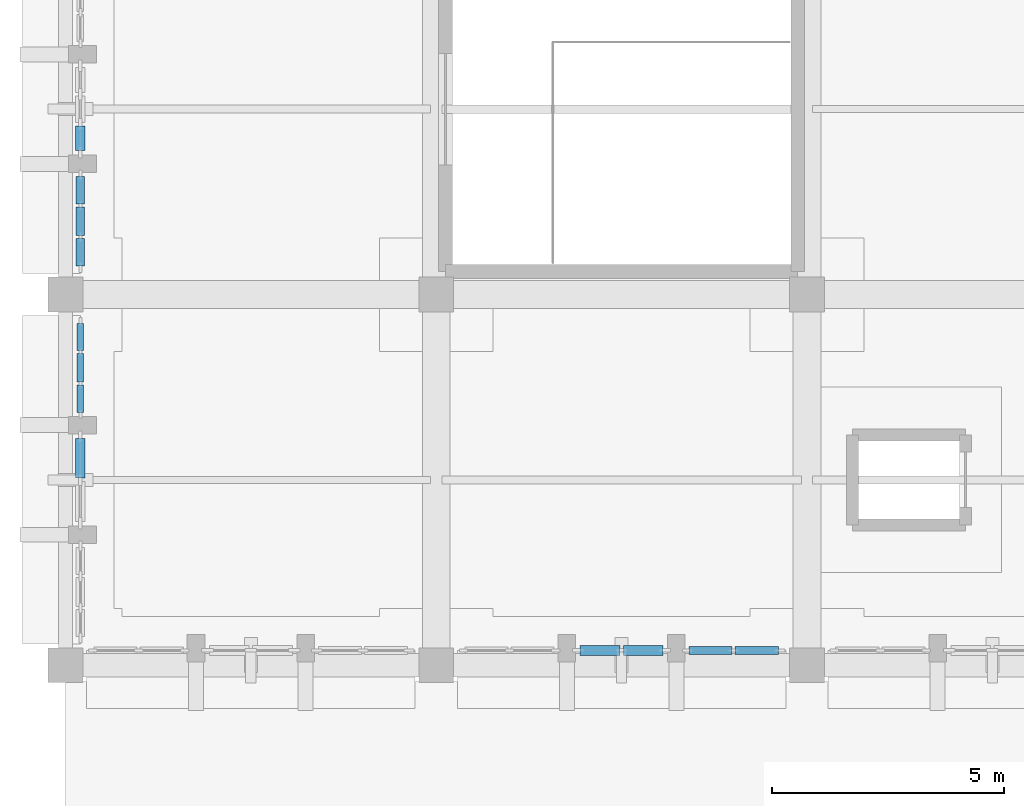
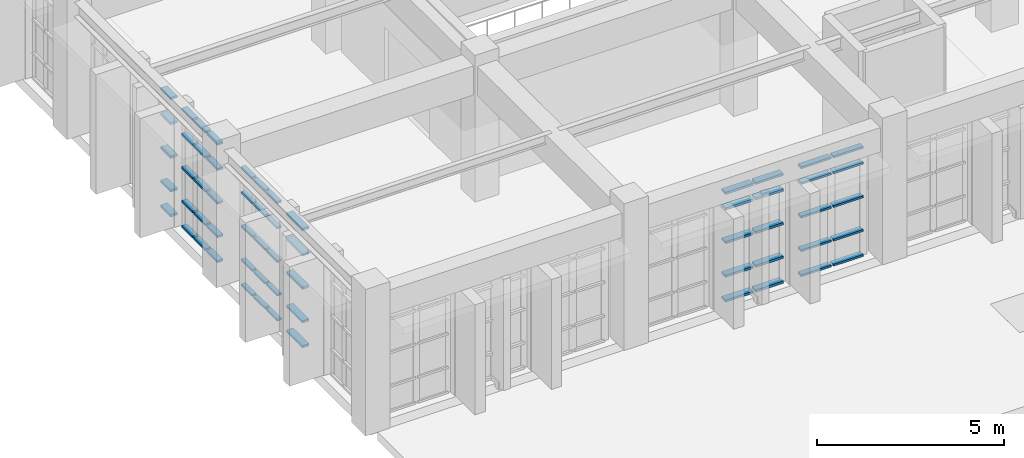
# One storey, part 47 of 155: 60 members, 6 elements without a shape of their own.
"""IFC4 building model written with IfcOpenShell, lengths in metres."""

from ifc_helpers import new_model, si_unit, direction, frame, origin, origin_2d, place, context, subcontext, project, spatial, rectangle, extrude, material, layer, layer_set, material_profile, profile_set, type_object, element, aggregate, save


model = new_model("IFC4")

# Units and contexts
model_context = context("Model", 3, precision=1e-05, world=origin(), true_north=direction((0.0, 1.0)))
body_context = subcontext(model_context, "Body", "Model", "MODEL_VIEW")
ifc_project = project(units=[si_unit("LENGTHUNIT", "METRE"), si_unit("AREAUNIT", "SQUARE_METRE"), si_unit("VOLUMEUNIT", "CUBIC_METRE"), si_unit("PLANEANGLEUNIT", "RADIAN"), si_unit("MASSUNIT", "GRAM", prefix="KILO")], contexts=[model_context])

# Site, building, storey
site_placement = place(None, origin())
site = spatial("IfcSite", under=ifc_project, at=site_placement, CompositionType="ELEMENT")
building_placement = place(site_placement, origin())
building = spatial("IfcBuilding", under=site, at=building_placement, Name="Tazarka Park Arena", CompositionType="ELEMENT")
storey_placement = place(building_placement, frame((0.0, 0.0, 5.39990234375)))
storey = spatial("IfcBuildingStorey", under=building, at=storey_placement, Name="L01", CompositionType="ELEMENT", Elevation=5.39990234375)

# Curtain wall, members
ifc_material_1 = material(Name="Aluminium and low-e glass", Category="aluminium")
ifc_layer_1 = layer(ifc_material_1, 0.179931640625, Name="Aluminium and low-e glass")
ifc_layer_set_1 = layer_set([ifc_layer_1], Name="Aluminium and low-e glass")
curtain_wall_type_1 = type_object("IfcCurtainWallType", Name="CW-09", PredefinedType="NOTDEFINED", material=ifc_layer_set_1)
curtain_wall_1_placement = place(storey_placement, origin())
curtain_wall_1 = element("IfcCurtainWall", 1, at=curtain_wall_1_placement, inside=storey, type_object=curtain_wall_type_1, Name="Curtain Wall CWA-L01-069", PredefinedType="NOTDEFINED")
ifc_material_2 = material(Name="Aluminium 6060-T66", Category="aluminium")
ifc_material_profile_1 = material_profile(ifc_material_2, rectangle(XDim=0.139892578125, YDim=0.06494140625, at=origin_2d()), Name="Aluminium 6060-T66")
ifc_profile_set_1 = profile_set([ifc_material_profile_1], Name="Aluminium 6060-T66")
member_type_1 = type_object("IfcMemberType", Name="CWT-01", PredefinedType="USERDEFINED", material=ifc_profile_set_1)
member_1_placement = place(storey_placement, frame((0.320068359375, 13.456787109375, 0.03271484375), z_axis=(0.0, 1.0, 0.0), x_axis=(-1.0, 0.0, 0.0)))
member_1 = element("IfcMember", 2, at=member_1_placement, type_object=member_type_1, Name="CW-09 transom 1.1", ObjectType="TRANSOM", PredefinedType="USERDEFINED", context=body_context, shape_type="SweptSolid", body=[
    extrude(rectangle(XDim=0.139892578125, YDim=0.06494140625, at=origin_2d()), origin(), (0.0, 0.0, 1.0), 0.5869140625),
])
member_2_placement = place(storey_placement, frame((0.320068359375, 13.456787109375, 0.85009765625), z_axis=(0.0, 1.0, 0.0), x_axis=(-1.0, 0.0, 0.0)))
member_2 = element("IfcMember", 3, at=member_2_placement, type_object=member_type_1, Name="CW-09 transom 1.2", ObjectType="TRANSOM", PredefinedType="USERDEFINED", context=body_context, shape_type="SweptSolid", body=[
    extrude(rectangle(XDim=0.139892578125, YDim=0.06494140625, at=origin_2d()), origin(), (0.0, 0.0, 1.0), 0.5869140625),
])
member_3_placement = place(storey_placement, frame((0.320068359375, 13.456787109375, 1.9501953125), z_axis=(0.0, 1.0, 0.0), x_axis=(-1.0, 0.0, 0.0)))
member_3 = element("IfcMember", 4, at=member_3_placement, type_object=member_type_1, Name="CW-09 transom 1.3", ObjectType="TRANSOM", PredefinedType="USERDEFINED", context=body_context, shape_type="SweptSolid", body=[
    extrude(rectangle(XDim=0.139892578125, YDim=0.06494140625, at=origin_2d()), origin(), (0.0, 0.0, 1.0), 0.5869140625),
])
member_4_placement = place(storey_placement, frame((0.320068359375, 13.456787109375, 3.050048828125), z_axis=(0.0, 1.0, 0.0), x_axis=(-1.0, 0.0, 0.0)))
member_4 = element("IfcMember", 5, at=member_4_placement, type_object=member_type_1, Name="CW-09 transom 1.4", ObjectType="TRANSOM", PredefinedType="USERDEFINED", context=body_context, shape_type="SweptSolid", body=[
    extrude(rectangle(XDim=0.139892578125, YDim=0.06494140625, at=origin_2d()), origin(), (0.0, 0.0, 1.0), 0.5869140625),
])
member_5_placement = place(storey_placement, frame((0.320068359375, 13.456787109375, 3.877685546875), z_axis=(0.0, 1.0, 0.0), x_axis=(-1.0, 0.0, 0.0)))
member_5 = element("IfcMember", 6, at=member_5_placement, type_object=member_type_1, Name="CW-09 transom 1.5", ObjectType="TRANSOM", PredefinedType="USERDEFINED", context=body_context, shape_type="SweptSolid", body=[
    extrude(rectangle(XDim=0.139892578125, YDim=0.06494140625, at=origin_2d()), origin(), (0.0, 0.0, 1.0), 0.5869140625),
])
member_6_placement = place(storey_placement, frame((0.320068359375, 14.108642578125, 0.03271484375), z_axis=(0.0, 1.0, 0.0), x_axis=(-1.0, 0.0, 0.0)))
member_6 = element("IfcMember", 7, at=member_6_placement, type_object=member_type_1, Name="CW-09 transom 2.1", ObjectType="TRANSOM", PredefinedType="USERDEFINED", context=body_context, shape_type="SweptSolid", body=[
    extrude(rectangle(XDim=0.139892578125, YDim=0.06494140625, at=origin_2d()), origin(), (0.0, 0.0, 1.0), 0.619384765625),
])
member_7_placement = place(storey_placement, frame((0.320068359375, 14.108642578125, 0.85009765625), z_axis=(0.0, 1.0, 0.0), x_axis=(-1.0, 0.0, 0.0)))
member_7 = element("IfcMember", 8, at=member_7_placement, type_object=member_type_1, Name="CW-09 transom 2.2", ObjectType="TRANSOM", PredefinedType="USERDEFINED", context=body_context, shape_type="SweptSolid", body=[
    extrude(rectangle(XDim=0.139892578125, YDim=0.06494140625, at=origin_2d()), origin(), (0.0, 0.0, 1.0), 0.619384765625),
])
member_8_placement = place(storey_placement, frame((0.320068359375, 14.108642578125, 1.9501953125), z_axis=(0.0, 1.0, 0.0), x_axis=(-1.0, 0.0, 0.0)))
member_8 = element("IfcMember", 9, at=member_8_placement, type_object=member_type_1, Name="CW-09 transom 2.3", ObjectType="TRANSOM", PredefinedType="USERDEFINED", context=body_context, shape_type="SweptSolid", body=[
    extrude(rectangle(XDim=0.139892578125, YDim=0.06494140625, at=origin_2d()), origin(), (0.0, 0.0, 1.0), 0.619384765625),
])
member_9_placement = place(storey_placement, frame((0.320068359375, 14.108642578125, 3.050048828125), z_axis=(0.0, 1.0, 0.0), x_axis=(-1.0, 0.0, 0.0)))
member_9 = element("IfcMember", 10, at=member_9_placement, type_object=member_type_1, Name="CW-09 transom 2.4", ObjectType="TRANSOM", PredefinedType="USERDEFINED", context=body_context, shape_type="SweptSolid", body=[
    extrude(rectangle(XDim=0.139892578125, YDim=0.06494140625, at=origin_2d()), origin(), (0.0, 0.0, 1.0), 0.619384765625),
])
member_10_placement = place(storey_placement, frame((0.320068359375, 14.108642578125, 3.877685546875), z_axis=(0.0, 1.0, 0.0), x_axis=(-1.0, 0.0, 0.0)))
member_10 = element("IfcMember", 11, at=member_10_placement, type_object=member_type_1, Name="CW-09 transom 2.5", ObjectType="TRANSOM", PredefinedType="USERDEFINED", context=body_context, shape_type="SweptSolid", body=[
    extrude(rectangle(XDim=0.139892578125, YDim=0.06494140625, at=origin_2d()), origin(), (0.0, 0.0, 1.0), 0.619384765625),
])
member_11_placement = place(storey_placement, frame((0.320068359375, 14.79296875, 0.03271484375), z_axis=(0.0, 1.0, 0.0), x_axis=(-1.0, 0.0, 0.0)))
member_11 = element("IfcMember", 12, at=member_11_placement, type_object=member_type_1, Name="CW-09 transom 3.1", ObjectType="TRANSOM", PredefinedType="USERDEFINED", context=body_context, shape_type="SweptSolid", body=[
    extrude(rectangle(XDim=0.139892578125, YDim=0.06494140625, at=origin_2d()), origin(), (0.0, 0.0, 1.0), 0.5869140625),
])
member_12_placement = place(storey_placement, frame((0.320068359375, 14.79296875, 0.85009765625), z_axis=(0.0, 1.0, 0.0), x_axis=(-1.0, 0.0, 0.0)))
member_12 = element("IfcMember", 13, at=member_12_placement, type_object=member_type_1, Name="CW-09 transom 3.2", ObjectType="TRANSOM", PredefinedType="USERDEFINED", context=body_context, shape_type="SweptSolid", body=[
    extrude(rectangle(XDim=0.139892578125, YDim=0.06494140625, at=origin_2d()), origin(), (0.0, 0.0, 1.0), 0.5869140625),
])
member_13_placement = place(storey_placement, frame((0.320068359375, 14.79296875, 1.9501953125), z_axis=(0.0, 1.0, 0.0), x_axis=(-1.0, 0.0, 0.0)))
member_13 = element("IfcMember", 14, at=member_13_placement, type_object=member_type_1, Name="CW-09 transom 3.3", ObjectType="TRANSOM", PredefinedType="USERDEFINED", context=body_context, shape_type="SweptSolid", body=[
    extrude(rectangle(XDim=0.139892578125, YDim=0.06494140625, at=origin_2d()), origin(), (0.0, 0.0, 1.0), 0.5869140625),
])
member_14_placement = place(storey_placement, frame((0.320068359375, 14.79296875, 3.050048828125), z_axis=(0.0, 1.0, 0.0), x_axis=(-1.0, 0.0, 0.0)))
member_14 = element("IfcMember", 15, at=member_14_placement, type_object=member_type_1, Name="CW-09 transom 3.4", ObjectType="TRANSOM", PredefinedType="USERDEFINED", context=body_context, shape_type="SweptSolid", body=[
    extrude(rectangle(XDim=0.139892578125, YDim=0.06494140625, at=origin_2d()), origin(), (0.0, 0.0, 1.0), 0.5869140625),
])
member_15_placement = place(storey_placement, frame((0.320068359375, 14.79296875, 3.877685546875), z_axis=(0.0, 1.0, 0.0), x_axis=(-1.0, 0.0, 0.0)))
member_15 = element("IfcMember", 16, at=member_15_placement, type_object=member_type_1, Name="CW-09 transom 3.5", ObjectType="TRANSOM", PredefinedType="USERDEFINED", context=body_context, shape_type="SweptSolid", body=[
    extrude(rectangle(XDim=0.139892578125, YDim=0.06494140625, at=origin_2d()), origin(), (0.0, 0.0, 1.0), 0.5869140625),
])
aggregate(curtain_wall_1, [member_1, member_2, member_3, member_4, member_5, member_6, member_7, member_8, member_9, member_10, member_11, member_12, member_13, member_14, member_15])

ifc_material_3 = material(Name="Aluminium and low-e glass", Category="aluminium")
ifc_layer_2 = layer(ifc_material_3, 0.179931640625, Name="Aluminium and low-e glass")
ifc_layer_set_2 = layer_set([ifc_layer_2], Name="Aluminium and low-e glass")
curtain_wall_type_2 = type_object("IfcCurtainWallType", Name="CW-04", PredefinedType="NOTDEFINED", material=ifc_layer_set_2)
curtain_wall_2_placement = place(storey_placement, origin())
curtain_wall_2 = element("IfcCurtainWall", 17, at=curtain_wall_2_placement, inside=storey, type_object=curtain_wall_type_2, Name="Curtain Wall CWA-L01-064", PredefinedType="NOTDEFINED")
ifc_material_4 = material(Name="Aluminium 6060-T66", Category="aluminium")
ifc_material_profile_2 = material_profile(ifc_material_4, rectangle(XDim=0.179931640625, YDim=0.06494140625, at=origin_2d()), Name="Aluminium 6060-T66")
ifc_profile_set_2 = profile_set([ifc_material_profile_2], Name="Aluminium 6060-T66")
member_type_2 = type_object("IfcMemberType", Name="CWT-02", PredefinedType="USERDEFINED", material=ifc_profile_set_2)
member_16_placement = place(storey_placement, frame((0.320068359375, 16.6201171875, 0.03271484375), z_axis=(0.0, 1.0, 0.0), x_axis=(-1.0, 0.0, 0.0)))
member_16 = element("IfcMember", 18, at=member_16_placement, type_object=member_type_2, Name="CW-04 transom 1.1", ObjectType="TRANSOM", PredefinedType="USERDEFINED", context=body_context, shape_type="SweptSolid", body=[
    extrude(rectangle(XDim=0.179931640625, YDim=0.06494140625, at=origin_2d()), origin(), (0.0, 0.0, 1.0), 0.5869140625),
])
member_17_placement = place(storey_placement, frame((0.320068359375, 16.6201171875, 0.85009765625), z_axis=(0.0, 1.0, 0.0), x_axis=(-1.0, 0.0, 0.0)))
member_17 = element("IfcMember", 19, at=member_17_placement, type_object=member_type_2, Name="CW-04 transom 1.2", ObjectType="TRANSOM", PredefinedType="USERDEFINED", context=body_context, shape_type="SweptSolid", body=[
    extrude(rectangle(XDim=0.179931640625, YDim=0.06494140625, at=origin_2d()), origin(), (0.0, 0.0, 1.0), 0.5869140625),
])
member_18_placement = place(storey_placement, frame((0.320068359375, 16.6201171875, 1.9501953125), z_axis=(0.0, 1.0, 0.0), x_axis=(-1.0, 0.0, 0.0)))
member_18 = element("IfcMember", 20, at=member_18_placement, type_object=member_type_2, Name="CW-04 transom 1.3", ObjectType="TRANSOM", PredefinedType="USERDEFINED", context=body_context, shape_type="SweptSolid", body=[
    extrude(rectangle(XDim=0.179931640625, YDim=0.06494140625, at=origin_2d()), origin(), (0.0, 0.0, 1.0), 0.5869140625),
])
member_19_placement = place(storey_placement, frame((0.320068359375, 16.6201171875, 3.050048828125), z_axis=(0.0, 1.0, 0.0), x_axis=(-1.0, 0.0, 0.0)))
member_19 = element("IfcMember", 21, at=member_19_placement, type_object=member_type_2, Name="CW-04 transom 1.4", ObjectType="TRANSOM", PredefinedType="USERDEFINED", context=body_context, shape_type="SweptSolid", body=[
    extrude(rectangle(XDim=0.179931640625, YDim=0.06494140625, at=origin_2d()), origin(), (0.0, 0.0, 1.0), 0.5869140625),
])
member_20_placement = place(storey_placement, frame((0.320068359375, 16.6201171875, 3.877685546875), z_axis=(0.0, 1.0, 0.0), x_axis=(-1.0, 0.0, 0.0)))
member_20 = element("IfcMember", 22, at=member_20_placement, type_object=member_type_2, Name="CW-04 transom 1.5", ObjectType="TRANSOM", PredefinedType="USERDEFINED", context=body_context, shape_type="SweptSolid", body=[
    extrude(rectangle(XDim=0.179931640625, YDim=0.06494140625, at=origin_2d()), origin(), (0.0, 0.0, 1.0), 0.5869140625),
])
member_21_placement = place(storey_placement, frame((0.320068359375, 17.27197265625, 0.03271484375), z_axis=(0.0, 1.0, 0.0), x_axis=(-1.0, 0.0, 0.0)))
member_21 = element("IfcMember", 23, at=member_21_placement, type_object=member_type_2, Name="CW-04 transom 2.1", ObjectType="TRANSOM", PredefinedType="USERDEFINED", context=body_context, shape_type="SweptSolid", body=[
    extrude(rectangle(XDim=0.179931640625, YDim=0.06494140625, at=origin_2d()), origin(), (0.0, 0.0, 1.0), 0.619384765625),
])
member_22_placement = place(storey_placement, frame((0.320068359375, 17.27197265625, 0.85009765625), z_axis=(0.0, 1.0, 0.0), x_axis=(-1.0, 0.0, 0.0)))
member_22 = element("IfcMember", 24, at=member_22_placement, type_object=member_type_2, Name="CW-04 transom 2.2", ObjectType="TRANSOM", PredefinedType="USERDEFINED", context=body_context, shape_type="SweptSolid", body=[
    extrude(rectangle(XDim=0.179931640625, YDim=0.06494140625, at=origin_2d()), origin(), (0.0, 0.0, 1.0), 0.619384765625),
])
member_23_placement = place(storey_placement, frame((0.320068359375, 17.27197265625, 1.9501953125), z_axis=(0.0, 1.0, 0.0), x_axis=(-1.0, 0.0, 0.0)))
member_23 = element("IfcMember", 25, at=member_23_placement, type_object=member_type_2, Name="CW-04 transom 2.3", ObjectType="TRANSOM", PredefinedType="USERDEFINED", context=body_context, shape_type="SweptSolid", body=[
    extrude(rectangle(XDim=0.179931640625, YDim=0.06494140625, at=origin_2d()), origin(), (0.0, 0.0, 1.0), 0.619384765625),
])
member_24_placement = place(storey_placement, frame((0.320068359375, 17.27197265625, 3.050048828125), z_axis=(0.0, 1.0, 0.0), x_axis=(-1.0, 0.0, 0.0)))
member_24 = element("IfcMember", 26, at=member_24_placement, type_object=member_type_2, Name="CW-04 transom 2.4", ObjectType="TRANSOM", PredefinedType="USERDEFINED", context=body_context, shape_type="SweptSolid", body=[
    extrude(rectangle(XDim=0.179931640625, YDim=0.06494140625, at=origin_2d()), origin(), (0.0, 0.0, 1.0), 0.619384765625),
])
member_25_placement = place(storey_placement, frame((0.320068359375, 17.27197265625, 3.877685546875), z_axis=(0.0, 1.0, 0.0), x_axis=(-1.0, 0.0, 0.0)))
member_25 = element("IfcMember", 27, at=member_25_placement, type_object=member_type_2, Name="CW-04 transom 2.5", ObjectType="TRANSOM", PredefinedType="USERDEFINED", context=body_context, shape_type="SweptSolid", body=[
    extrude(rectangle(XDim=0.179931640625, YDim=0.06494140625, at=origin_2d()), origin(), (0.0, 0.0, 1.0), 0.619384765625),
])
member_26_placement = place(storey_placement, frame((0.320068359375, 17.956298828125, 0.03271484375), z_axis=(0.0, 1.0, 0.0), x_axis=(-1.0, 0.0, 0.0)))
member_26 = element("IfcMember", 28, at=member_26_placement, type_object=member_type_2, Name="CW-04 transom 3.1", ObjectType="TRANSOM", PredefinedType="USERDEFINED", context=body_context, shape_type="SweptSolid", body=[
    extrude(rectangle(XDim=0.179931640625, YDim=0.06494140625, at=origin_2d()), origin(), (0.0, 0.0, 1.0), 0.5869140625),
])
member_27_placement = place(storey_placement, frame((0.320068359375, 17.956298828125, 0.85009765625), z_axis=(0.0, 1.0, 0.0), x_axis=(-1.0, 0.0, 0.0)))
member_27 = element("IfcMember", 29, at=member_27_placement, type_object=member_type_2, Name="CW-04 transom 3.2", ObjectType="TRANSOM", PredefinedType="USERDEFINED", context=body_context, shape_type="SweptSolid", body=[
    extrude(rectangle(XDim=0.179931640625, YDim=0.06494140625, at=origin_2d()), origin(), (0.0, 0.0, 1.0), 0.5869140625),
])
member_28_placement = place(storey_placement, frame((0.320068359375, 17.956298828125, 1.9501953125), z_axis=(0.0, 1.0, 0.0), x_axis=(-1.0, 0.0, 0.0)))
member_28 = element("IfcMember", 30, at=member_28_placement, type_object=member_type_2, Name="CW-04 transom 3.3", ObjectType="TRANSOM", PredefinedType="USERDEFINED", context=body_context, shape_type="SweptSolid", body=[
    extrude(rectangle(XDim=0.179931640625, YDim=0.06494140625, at=origin_2d()), origin(), (0.0, 0.0, 1.0), 0.5869140625),
])
member_29_placement = place(storey_placement, frame((0.320068359375, 17.956298828125, 3.050048828125), z_axis=(0.0, 1.0, 0.0), x_axis=(-1.0, 0.0, 0.0)))
member_29 = element("IfcMember", 31, at=member_29_placement, type_object=member_type_2, Name="CW-04 transom 3.4", ObjectType="TRANSOM", PredefinedType="USERDEFINED", context=body_context, shape_type="SweptSolid", body=[
    extrude(rectangle(XDim=0.179931640625, YDim=0.06494140625, at=origin_2d()), origin(), (0.0, 0.0, 1.0), 0.5869140625),
])
member_30_placement = place(storey_placement, frame((0.320068359375, 17.956298828125, 3.877685546875), z_axis=(0.0, 1.0, 0.0), x_axis=(-1.0, 0.0, 0.0)))
member_30 = element("IfcMember", 32, at=member_30_placement, type_object=member_type_2, Name="CW-04 transom 3.5", ObjectType="TRANSOM", PredefinedType="USERDEFINED", context=body_context, shape_type="SweptSolid", body=[
    extrude(rectangle(XDim=0.179931640625, YDim=0.06494140625, at=origin_2d()), origin(), (0.0, 0.0, 1.0), 0.5869140625),
])
aggregate(curtain_wall_2, [member_16, member_17, member_18, member_19, member_20, member_21, member_22, member_23, member_24, member_25, member_26, member_27, member_28, member_29, member_30])

ifc_material_5 = material(Name="Aluminium and low-e glass", Category="aluminium")
ifc_layer_3 = layer(ifc_material_5, 0.179931640625, Name="Aluminium and low-e glass")
ifc_layer_set_3 = layer_set([ifc_layer_3], Name="Aluminium and low-e glass")
curtain_wall_type_3 = type_object("IfcCurtainWallType", Name="CW-13", PredefinedType="NOTDEFINED", material=ifc_layer_set_3)
curtain_wall_3_placement = place(storey_placement, origin())
curtain_wall_3 = element("IfcCurtainWall", 33, at=curtain_wall_3_placement, inside=storey, type_object=curtain_wall_type_3, Name="Curtain Wall CWA-L01-073", PredefinedType="NOTDEFINED")
member_31_placement = place(storey_placement, frame((15.3798828125, 8.320068359375, 0.03271484375), z_axis=(-1.0, 0.0, 0.0), x_axis=(0.0, -1.0, 0.0)))
member_31 = element("IfcMember", 34, at=member_31_placement, type_object=member_type_2, Name="CW-13 transom 1.1", ObjectType="TRANSOM", PredefinedType="USERDEFINED", context=body_context, shape_type="SweptSolid", body=[
    extrude(rectangle(XDim=0.179931640625, YDim=0.06494140625, at=origin_2d()), origin(), (0.0, 0.0, 1.0), 0.928955078125),
])
member_32_placement = place(storey_placement, frame((15.3798828125, 8.320068359375, 0.85009765625), z_axis=(-1.0, 0.0, 0.0), x_axis=(0.0, -1.0, 0.0)))
member_32 = element("IfcMember", 35, at=member_32_placement, type_object=member_type_2, Name="CW-13 transom 1.2", ObjectType="TRANSOM", PredefinedType="USERDEFINED", context=body_context, shape_type="SweptSolid", body=[
    extrude(rectangle(XDim=0.179931640625, YDim=0.06494140625, at=origin_2d()), origin(), (0.0, 0.0, 1.0), 0.928955078125),
])
member_33_placement = place(storey_placement, frame((15.3798828125, 8.320068359375, 1.9501953125), z_axis=(-1.0, 0.0, 0.0), x_axis=(0.0, -1.0, 0.0)))
member_33 = element("IfcMember", 36, at=member_33_placement, type_object=member_type_2, Name="CW-13 transom 1.3", ObjectType="TRANSOM", PredefinedType="USERDEFINED", context=body_context, shape_type="SweptSolid", body=[
    extrude(rectangle(XDim=0.179931640625, YDim=0.06494140625, at=origin_2d()), origin(), (0.0, 0.0, 1.0), 0.928955078125),
])
member_34_placement = place(storey_placement, frame((15.3798828125, 8.320068359375, 3.050048828125), z_axis=(-1.0, 0.0, 0.0), x_axis=(0.0, -1.0, 0.0)))
member_34 = element("IfcMember", 37, at=member_34_placement, type_object=member_type_2, Name="CW-13 transom 1.4", ObjectType="TRANSOM", PredefinedType="USERDEFINED", context=body_context, shape_type="SweptSolid", body=[
    extrude(rectangle(XDim=0.179931640625, YDim=0.06494140625, at=origin_2d()), origin(), (0.0, 0.0, 1.0), 0.928955078125),
])
member_35_placement = place(storey_placement, frame((15.3798828125, 8.320068359375, 3.567626953125), z_axis=(-1.0, 0.0, 0.0), x_axis=(0.0, -1.0, 0.0)))
member_35 = element("IfcMember", 38, at=member_35_placement, type_object=member_type_2, Name="CW-13 transom 1.5", ObjectType="TRANSOM", PredefinedType="USERDEFINED", context=body_context, shape_type="SweptSolid", body=[
    extrude(rectangle(XDim=0.179931640625, YDim=0.06494140625, at=origin_2d()), origin(), (0.0, 0.0, 1.0), 0.928955078125),
])
member_36_placement = place(storey_placement, frame((14.3857421875, 8.320068359375, 0.03271484375), z_axis=(-1.0, 0.0, 0.0), x_axis=(0.0, -1.0, 0.0)))
member_36 = element("IfcMember", 39, at=member_36_placement, type_object=member_type_2, Name="CW-13 transom 2.1", ObjectType="TRANSOM", PredefinedType="USERDEFINED", context=body_context, shape_type="SweptSolid", body=[
    extrude(rectangle(XDim=0.179931640625, YDim=0.06494140625, at=origin_2d()), origin(), (0.0, 0.0, 1.0), 0.928955078125),
])
member_37_placement = place(storey_placement, frame((14.3857421875, 8.320068359375, 0.85009765625), z_axis=(-1.0, 0.0, 0.0), x_axis=(0.0, -1.0, 0.0)))
member_37 = element("IfcMember", 40, at=member_37_placement, type_object=member_type_2, Name="CW-13 transom 2.2", ObjectType="TRANSOM", PredefinedType="USERDEFINED", context=body_context, shape_type="SweptSolid", body=[
    extrude(rectangle(XDim=0.179931640625, YDim=0.06494140625, at=origin_2d()), origin(), (0.0, 0.0, 1.0), 0.928955078125),
])
member_38_placement = place(storey_placement, frame((14.3857421875, 8.320068359375, 1.9501953125), z_axis=(-1.0, 0.0, 0.0), x_axis=(0.0, -1.0, 0.0)))
member_38 = element("IfcMember", 41, at=member_38_placement, type_object=member_type_2, Name="CW-13 transom 2.3", ObjectType="TRANSOM", PredefinedType="USERDEFINED", context=body_context, shape_type="SweptSolid", body=[
    extrude(rectangle(XDim=0.179931640625, YDim=0.06494140625, at=origin_2d()), origin(), (0.0, 0.0, 1.0), 0.928955078125),
])
member_39_placement = place(storey_placement, frame((14.3857421875, 8.320068359375, 3.050048828125), z_axis=(-1.0, 0.0, 0.0), x_axis=(0.0, -1.0, 0.0)))
member_39 = element("IfcMember", 42, at=member_39_placement, type_object=member_type_2, Name="CW-13 transom 2.4", ObjectType="TRANSOM", PredefinedType="USERDEFINED", context=body_context, shape_type="SweptSolid", body=[
    extrude(rectangle(XDim=0.179931640625, YDim=0.06494140625, at=origin_2d()), origin(), (0.0, 0.0, 1.0), 0.928955078125),
])
member_40_placement = place(storey_placement, frame((14.3857421875, 8.320068359375, 3.567626953125), z_axis=(-1.0, 0.0, 0.0), x_axis=(0.0, -1.0, 0.0)))
member_40 = element("IfcMember", 43, at=member_40_placement, type_object=member_type_2, Name="CW-13 transom 2.5", ObjectType="TRANSOM", PredefinedType="USERDEFINED", context=body_context, shape_type="SweptSolid", body=[
    extrude(rectangle(XDim=0.179931640625, YDim=0.06494140625, at=origin_2d()), origin(), (0.0, 0.0, 1.0), 0.928955078125),
])
aggregate(curtain_wall_3, [member_31, member_32, member_33, member_34, member_35, member_36, member_37, member_38, member_39, member_40])

ifc_material_6 = material(Name="Aluminium and low-e glass", Category="aluminium")
ifc_layer_4 = layer(ifc_material_6, 0.179931640625, Name="Aluminium and low-e glass")
ifc_layer_set_4 = layer_set([ifc_layer_4], Name="Aluminium and low-e glass")
curtain_wall_type_4 = type_object("IfcCurtainWallType", Name="CW-05", PredefinedType="NOTDEFINED", material=ifc_layer_set_4)
curtain_wall_4_placement = place(storey_placement, origin())
curtain_wall_4 = element("IfcCurtainWall", 44, at=curtain_wall_4_placement, inside=storey, type_object=curtain_wall_type_4, Name="Curtain Wall CWA-L01-065", PredefinedType="NOTDEFINED")
ifc_material_7 = material(Name="Aluminium 6060-T66", Category="aluminium")
ifc_material_profile_3 = material_profile(ifc_material_7, rectangle(XDim=0.2099609375, YDim=0.074951171875, at=origin_2d()), Name="Aluminium 6060-T66")
ifc_profile_set_3 = profile_set([ifc_material_profile_3], Name="Aluminium 6060-T66")
member_type_3 = type_object("IfcMemberType", Name="CWT-03", PredefinedType="USERDEFINED", material=ifc_profile_set_3)
member_41_placement = place(storey_placement, frame((0.320068359375, 19.103271484375, 0.03759765625), z_axis=(0.0, 1.0, 0.0), x_axis=(-1.0, 0.0, 0.0)))
member_41 = element("IfcMember", 45, at=member_41_placement, type_object=member_type_3, Name="CW-05 transom 1.1", ObjectType="TRANSOM", PredefinedType="USERDEFINED", context=body_context, shape_type="SweptSolid", body=[
    extrude(rectangle(XDim=0.2099609375, YDim=0.074951171875, at=origin_2d()), origin(), (0.0, 0.0, 1.0), 0.535400390625),
])
member_42_placement = place(storey_placement, frame((0.320068359375, 19.103271484375, 0.85009765625), z_axis=(0.0, 1.0, 0.0), x_axis=(-1.0, 0.0, 0.0)))
member_42 = element("IfcMember", 46, at=member_42_placement, type_object=member_type_3, Name="CW-05 transom 1.2", ObjectType="TRANSOM", PredefinedType="USERDEFINED", context=body_context, shape_type="SweptSolid", body=[
    extrude(rectangle(XDim=0.2099609375, YDim=0.074951171875, at=origin_2d()), origin(), (0.0, 0.0, 1.0), 0.535400390625),
])
member_43_placement = place(storey_placement, frame((0.320068359375, 19.103271484375, 1.9501953125), z_axis=(0.0, 1.0, 0.0), x_axis=(-1.0, 0.0, 0.0)))
member_43 = element("IfcMember", 47, at=member_43_placement, type_object=member_type_3, Name="CW-05 transom 1.3", ObjectType="TRANSOM", PredefinedType="USERDEFINED", context=body_context, shape_type="SweptSolid", body=[
    extrude(rectangle(XDim=0.2099609375, YDim=0.074951171875, at=origin_2d()), origin(), (0.0, 0.0, 1.0), 0.535400390625),
])
member_44_placement = place(storey_placement, frame((0.320068359375, 19.103271484375, 3.050048828125), z_axis=(0.0, 1.0, 0.0), x_axis=(-1.0, 0.0, 0.0)))
member_44 = element("IfcMember", 48, at=member_44_placement, type_object=member_type_3, Name="CW-05 transom 1.4", ObjectType="TRANSOM", PredefinedType="USERDEFINED", context=body_context, shape_type="SweptSolid", body=[
    extrude(rectangle(XDim=0.2099609375, YDim=0.074951171875, at=origin_2d()), origin(), (0.0, 0.0, 1.0), 0.535400390625),
])
member_45_placement = place(storey_placement, frame((0.320068359375, 19.103271484375, 3.87255859375), z_axis=(0.0, 1.0, 0.0), x_axis=(-1.0, 0.0, 0.0)))
member_45 = element("IfcMember", 49, at=member_45_placement, type_object=member_type_3, Name="CW-05 transom 1.5", ObjectType="TRANSOM", PredefinedType="USERDEFINED", context=body_context, shape_type="SweptSolid", body=[
    extrude(rectangle(XDim=0.2099609375, YDim=0.074951171875, at=origin_2d()), origin(), (0.0, 0.0, 1.0), 0.535400390625),
])
aggregate(curtain_wall_4, [member_41, member_42, member_43, member_44, member_45])

ifc_material_8 = material(Name="Aluminium and low-e glass", Category="aluminium")
ifc_layer_5 = layer(ifc_material_8, 0.179931640625, Name="Aluminium and low-e glass")
ifc_layer_set_5 = layer_set([ifc_layer_5], Name="Aluminium and low-e glass")
curtain_wall_type_5 = type_object("IfcCurtainWallType", Name="CW-08", PredefinedType="NOTDEFINED", material=ifc_layer_set_5)
curtain_wall_5_placement = place(storey_placement, origin())
curtain_wall_5 = element("IfcCurtainWall", 50, at=curtain_wall_5_placement, inside=storey, type_object=curtain_wall_type_5, Name="Curtain Wall CWA-L01-068", PredefinedType="NOTDEFINED")
member_46_placement = place(storey_placement, frame((0.320068359375, 12.03759765625, 0.03759765625), z_axis=(0.0, 1.0, 0.0), x_axis=(-1.0, 0.0, 0.0)))
member_46 = element("IfcMember", 51, at=member_46_placement, type_object=member_type_3, Name="CW-08 transom 2.1", ObjectType="TRANSOM", PredefinedType="USERDEFINED", context=body_context, shape_type="SweptSolid", body=[
    extrude(rectangle(XDim=0.2099609375, YDim=0.074951171875, at=origin_2d()), origin(), (0.0, 0.0, 1.0), 0.859130859375),
])
member_47_placement = place(storey_placement, frame((0.320068359375, 12.03759765625, 0.85009765625), z_axis=(0.0, 1.0, 0.0), x_axis=(-1.0, 0.0, 0.0)))
member_47 = element("IfcMember", 52, at=member_47_placement, type_object=member_type_3, Name="CW-08 transom 2.2", ObjectType="TRANSOM", PredefinedType="USERDEFINED", context=body_context, shape_type="SweptSolid", body=[
    extrude(rectangle(XDim=0.2099609375, YDim=0.074951171875, at=origin_2d()), origin(), (0.0, 0.0, 1.0), 0.859130859375),
])
member_48_placement = place(storey_placement, frame((0.320068359375, 12.03759765625, 1.9501953125), z_axis=(0.0, 1.0, 0.0), x_axis=(-1.0, 0.0, 0.0)))
member_48 = element("IfcMember", 53, at=member_48_placement, type_object=member_type_3, Name="CW-08 transom 2.3", ObjectType="TRANSOM", PredefinedType="USERDEFINED", context=body_context, shape_type="SweptSolid", body=[
    extrude(rectangle(XDim=0.2099609375, YDim=0.074951171875, at=origin_2d()), origin(), (0.0, 0.0, 1.0), 0.859130859375),
])
member_49_placement = place(storey_placement, frame((0.320068359375, 12.03759765625, 3.050048828125), z_axis=(0.0, 1.0, 0.0), x_axis=(-1.0, 0.0, 0.0)))
member_49 = element("IfcMember", 54, at=member_49_placement, type_object=member_type_3, Name="CW-08 transom 2.4", ObjectType="TRANSOM", PredefinedType="USERDEFINED", context=body_context, shape_type="SweptSolid", body=[
    extrude(rectangle(XDim=0.2099609375, YDim=0.074951171875, at=origin_2d()), origin(), (0.0, 0.0, 1.0), 0.859130859375),
])
member_50_placement = place(storey_placement, frame((0.320068359375, 12.03759765625, 3.87255859375), z_axis=(0.0, 1.0, 0.0), x_axis=(-1.0, 0.0, 0.0)))
member_50 = element("IfcMember", 55, at=member_50_placement, type_object=member_type_3, Name="CW-08 transom 2.5", ObjectType="TRANSOM", PredefinedType="USERDEFINED", context=body_context, shape_type="SweptSolid", body=[
    extrude(rectangle(XDim=0.2099609375, YDim=0.074951171875, at=origin_2d()), origin(), (0.0, 0.0, 1.0), 0.859130859375),
])
aggregate(curtain_wall_5, [member_46, member_47, member_48, member_49, member_50])

ifc_material_9 = material(Name="Aluminium and low-e glass", Category="aluminium")
ifc_layer_6 = layer(ifc_material_9, 0.179931640625, Name="Aluminium and low-e glass")
ifc_layer_set_6 = layer_set([ifc_layer_6], Name="Aluminium and low-e glass")
curtain_wall_type_6 = type_object("IfcCurtainWallType", Name="CW-14", PredefinedType="NOTDEFINED", material=ifc_layer_set_6)
curtain_wall_6_placement = place(storey_placement, origin())
curtain_wall_6 = element("IfcCurtainWall", 56, at=curtain_wall_6_placement, inside=storey, type_object=curtain_wall_type_6, Name="Curtain Wall CWA-L01-074", PredefinedType="NOTDEFINED")
member_51_placement = place(storey_placement, frame((12.896728515625, 8.320068359375, 0.03759765625), z_axis=(-1.0, 0.0, 0.0), x_axis=(0.0, -1.0, 0.0)))
member_51 = element("IfcMember", 57, at=member_51_placement, type_object=member_type_3, Name="CW-14 transom 1.1", ObjectType="TRANSOM", PredefinedType="USERDEFINED", context=body_context, shape_type="SweptSolid", body=[
    extrude(rectangle(XDim=0.2099609375, YDim=0.074951171875, at=origin_2d()), origin(), (0.0, 0.0, 1.0), 0.859130859375),
])
member_52_placement = place(storey_placement, frame((12.896728515625, 8.320068359375, 0.85009765625), z_axis=(-1.0, 0.0, 0.0), x_axis=(0.0, -1.0, 0.0)))
member_52 = element("IfcMember", 58, at=member_52_placement, type_object=member_type_3, Name="CW-14 transom 1.2", ObjectType="TRANSOM", PredefinedType="USERDEFINED", context=body_context, shape_type="SweptSolid", body=[
    extrude(rectangle(XDim=0.2099609375, YDim=0.074951171875, at=origin_2d()), origin(), (0.0, 0.0, 1.0), 0.859130859375),
])
member_53_placement = place(storey_placement, frame((12.896728515625, 8.320068359375, 1.9501953125), z_axis=(-1.0, 0.0, 0.0), x_axis=(0.0, -1.0, 0.0)))
member_53 = element("IfcMember", 59, at=member_53_placement, type_object=member_type_3, Name="CW-14 transom 1.3", ObjectType="TRANSOM", PredefinedType="USERDEFINED", context=body_context, shape_type="SweptSolid", body=[
    extrude(rectangle(XDim=0.2099609375, YDim=0.074951171875, at=origin_2d()), origin(), (0.0, 0.0, 1.0), 0.859130859375),
])
member_54_placement = place(storey_placement, frame((12.896728515625, 8.320068359375, 3.050048828125), z_axis=(-1.0, 0.0, 0.0), x_axis=(0.0, -1.0, 0.0)))
member_54 = element("IfcMember", 60, at=member_54_placement, type_object=member_type_3, Name="CW-14 transom 1.4", ObjectType="TRANSOM", PredefinedType="USERDEFINED", context=body_context, shape_type="SweptSolid", body=[
    extrude(rectangle(XDim=0.2099609375, YDim=0.074951171875, at=origin_2d()), origin(), (0.0, 0.0, 1.0), 0.859130859375),
])
member_55_placement = place(storey_placement, frame((12.896728515625, 8.320068359375, 3.5625), z_axis=(-1.0, 0.0, 0.0), x_axis=(0.0, -1.0, 0.0)))
member_55 = element("IfcMember", 61, at=member_55_placement, type_object=member_type_3, Name="CW-14 transom 1.5", ObjectType="TRANSOM", PredefinedType="USERDEFINED", context=body_context, shape_type="SweptSolid", body=[
    extrude(rectangle(XDim=0.2099609375, YDim=0.074951171875, at=origin_2d()), origin(), (0.0, 0.0, 1.0), 0.859130859375),
])
member_56_placement = place(storey_placement, frame((11.96240234375, 8.320068359375, 0.03759765625), z_axis=(-1.0, 0.0, 0.0), x_axis=(0.0, -1.0, 0.0)))
member_56 = element("IfcMember", 62, at=member_56_placement, type_object=member_type_3, Name="CW-14 transom 2.1", ObjectType="TRANSOM", PredefinedType="USERDEFINED", context=body_context, shape_type="SweptSolid", body=[
    extrude(rectangle(XDim=0.2099609375, YDim=0.074951171875, at=origin_2d()), origin(), (0.0, 0.0, 1.0), 0.859130859375),
])
member_57_placement = place(storey_placement, frame((11.96240234375, 8.320068359375, 0.85009765625), z_axis=(-1.0, 0.0, 0.0), x_axis=(0.0, -1.0, 0.0)))
member_57 = element("IfcMember", 63, at=member_57_placement, type_object=member_type_3, Name="CW-14 transom 2.2", ObjectType="TRANSOM", PredefinedType="USERDEFINED", context=body_context, shape_type="SweptSolid", body=[
    extrude(rectangle(XDim=0.2099609375, YDim=0.074951171875, at=origin_2d()), origin(), (0.0, 0.0, 1.0), 0.859130859375),
])
member_58_placement = place(storey_placement, frame((11.96240234375, 8.320068359375, 1.9501953125), z_axis=(-1.0, 0.0, 0.0), x_axis=(0.0, -1.0, 0.0)))
member_58 = element("IfcMember", 64, at=member_58_placement, type_object=member_type_3, Name="CW-14 transom 2.3", ObjectType="TRANSOM", PredefinedType="USERDEFINED", context=body_context, shape_type="SweptSolid", body=[
    extrude(rectangle(XDim=0.2099609375, YDim=0.074951171875, at=origin_2d()), origin(), (0.0, 0.0, 1.0), 0.859130859375),
])
member_59_placement = place(storey_placement, frame((11.96240234375, 8.320068359375, 3.050048828125), z_axis=(-1.0, 0.0, 0.0), x_axis=(0.0, -1.0, 0.0)))
member_59 = element("IfcMember", 65, at=member_59_placement, type_object=member_type_3, Name="CW-14 transom 2.4", ObjectType="TRANSOM", PredefinedType="USERDEFINED", context=body_context, shape_type="SweptSolid", body=[
    extrude(rectangle(XDim=0.2099609375, YDim=0.074951171875, at=origin_2d()), origin(), (0.0, 0.0, 1.0), 0.859130859375),
])
member_60_placement = place(storey_placement, frame((11.96240234375, 8.320068359375, 3.5625), z_axis=(-1.0, 0.0, 0.0), x_axis=(0.0, -1.0, 0.0)))
member_60 = element("IfcMember", 66, at=member_60_placement, type_object=member_type_3, Name="CW-14 transom 2.5", ObjectType="TRANSOM", PredefinedType="USERDEFINED", context=body_context, shape_type="SweptSolid", body=[
    extrude(rectangle(XDim=0.2099609375, YDim=0.074951171875, at=origin_2d()), origin(), (0.0, 0.0, 1.0), 0.859130859375),
])
aggregate(curtain_wall_6, [member_51, member_52, member_53, member_54, member_55, member_56, member_57, member_58, member_59, member_60])

save(model, "model.ifc")
